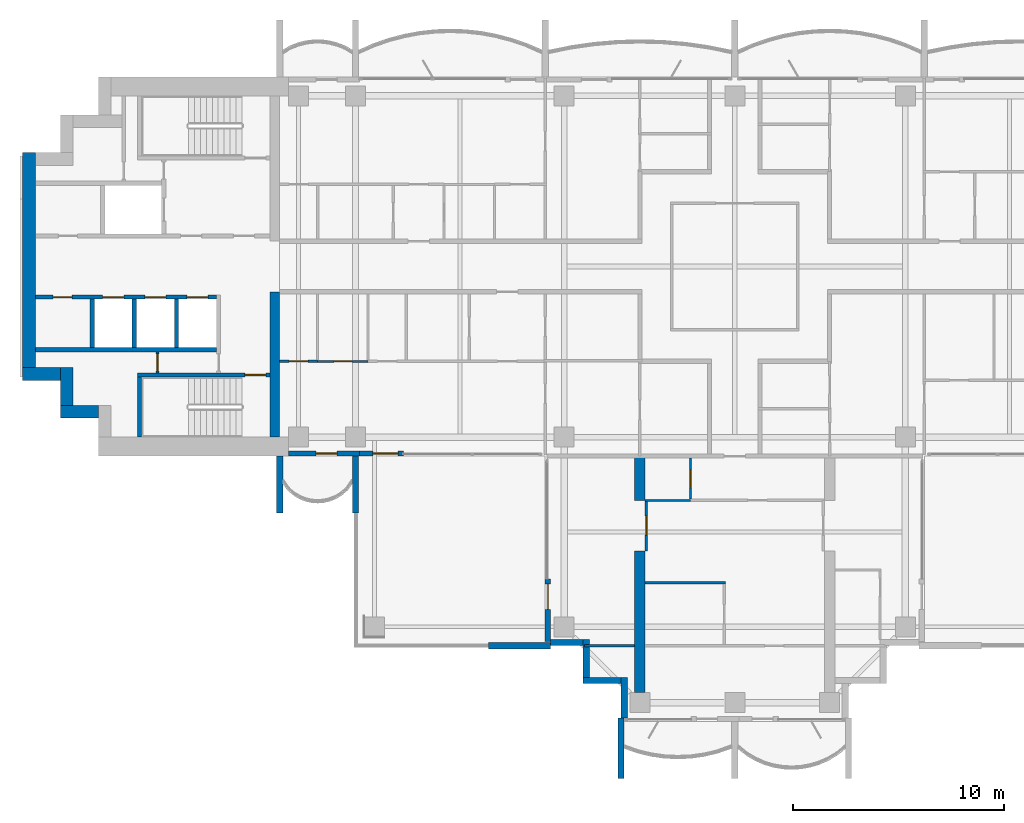
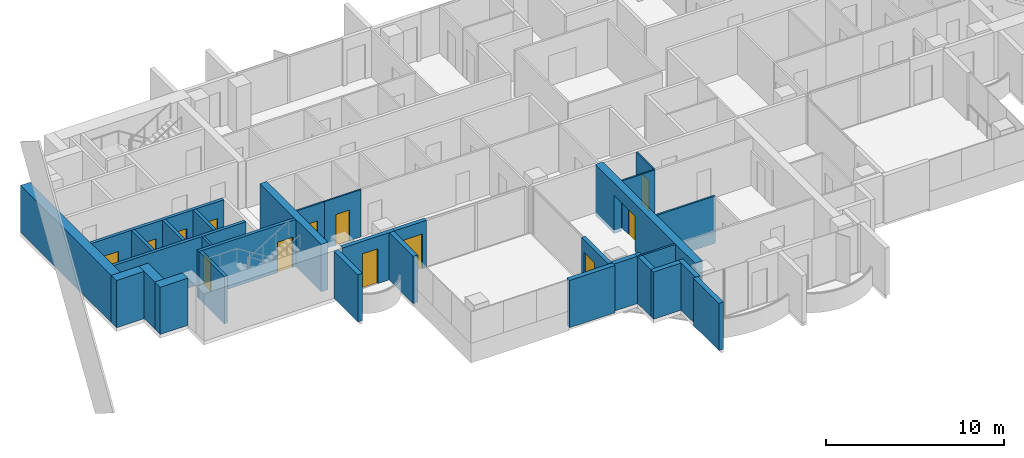
# One storey, part 8 of 18: 32 walls, 13 doors, 13 openings.
"""IFC4 building model written with IfcOpenShell, lengths in metres."""

from ifc_helpers import new_model, si_unit, direction, frame, frame_2d, origin, place, context, subcontext, project, spatial, polyline, rectangle, outline, extrude, material, layer, layer_set, material_profile, profile_set, type_object, element, fill, save


model = new_model("IFC4")

# Units and contexts
model_context = context("Model", 3, precision=1e-05, world=origin(), true_north=direction((0.0, 1.0)))
body_context = subcontext(model_context, "Body", "Model", "MODEL_VIEW")
ifc_project = project(units=[si_unit("LENGTHUNIT", "METRE"), si_unit("AREAUNIT", "SQUARE_METRE"), si_unit("VOLUMEUNIT", "CUBIC_METRE"), si_unit("PLANEANGLEUNIT", "RADIAN"), si_unit("MASSUNIT", "GRAM", prefix="KILO")], contexts=[model_context])

# Site, building, storey
site_placement = place(None, origin())
site = spatial("IfcSite", under=ifc_project, at=site_placement, CompositionType="ELEMENT")
building_placement = place(site_placement, origin())
building = spatial("IfcBuilding", under=site, at=building_placement, Name="Perihelion Cross Residences", CompositionType="ELEMENT")
storey_placement = place(building_placement, frame((0.0, 0.0, 215.60009765625)))
storey = spatial("IfcBuildingStorey", under=building, at=storey_placement, Name="L54", CompositionType="ELEMENT", Elevation=215.60009765625)

# Wall, opening, door
ifc_material_1 = material(Name="Concrete C30/37, bronze-clad", Category="concrete")
ifc_layer_1 = layer(ifc_material_1, 0.25)
ifc_layer_set_1 = layer_set([ifc_layer_1], Name="Bronze-clad pier wall 250")
wall_type_1 = type_object("IfcWallType", Name="Bronze-clad pier wall 250", PredefinedType="SOLIDWALL", material=ifc_layer_set_1)
wall_1_placement = place(storey_placement, frame((-21.175048828125, -8.875, 0.0), z_axis=(0.0, 0.0, 1.0), x_axis=(1.0, 0.0, 0.0)))
wall_1 = element("IfcWall", 1, at=wall_1_placement, inside=storey, type_object=wall_type_1, Name="Wall FW1 L54 west side south bay 1 pier", PredefinedType="SOLIDWALL", context=body_context, shape_type="SweptSolid", body=[
    extrude(rectangle(XDim=3.375, YDim=0.25, at=frame_2d((1.6875, 0.0))), origin(), (0.0, 0.0, 1.0), 3.25),
])
opening_1_placement = place(wall_1_placement, frame((1.300048828125, 0.0, 0.0)))
opening_1 = element("IfcOpeningElement", 2, at=opening_1_placement, cuts=wall_1, Name="Opening L54.E07", PredefinedType="OPENING", context=body_context, shape_type="SweptSolid", body=[
    extrude(rectangle(XDim=1.0, YDim=2.39990234375, at=frame_2d((0.5, 1.199951171875))), frame((0.0, 0.135009765625, 0.0), z_axis=(0.0, -1.0, 0.0), x_axis=(1.0, 0.0, 0.0)), (0.0, 0.0, 1.0), 0.27001953125),
])
ifc_material_2 = material(Name="Bronze anodised aluminium, glazed", Category="aluminium")
door_type_1 = type_object("IfcDoorType", Name="Balcony door 1000 x 2400", OperationType="NOTDEFINED", PredefinedType="DOOR", material=ifc_material_2)
door_1_placement = place(opening_1_placement, origin())
door_1 = element("IfcDoor", 3, at=door_1_placement, inside=storey, type_object=door_type_1, Name="Door L54.E07 west side south bay 1", OperationType="SINGLE_SWING_LEFT", OverallHeight=2.39990234375, OverallWidth=1.0, PredefinedType="DOOR", context=body_context, shape_type="SweptSolid", body=[
    extrude(rectangle(XDim=1.0, YDim=2.39990234375, at=frame_2d((0.5, 1.199951171875))), frame((0.0, 0.02490234375, 0.0), z_axis=(0.0, -1.0, 0.0), x_axis=(1.0, 0.0, 0.0)), (0.0, 0.0, 1.0), 0.050048828125),
])
fill(opening_1, door_1)

wall_2_placement = place(storey_placement, frame((-17.800048828125, -8.875, 0.0), z_axis=(0.0, 0.0, 1.0), x_axis=(1.0, 0.0, 0.0)))
wall_2 = element("IfcWall", 4, at=wall_2_placement, inside=storey, type_object=wall_type_1, Name="Wall FW1 L54 west side south bay 2 pier", PredefinedType="SOLIDWALL", context=body_context, shape_type="SweptSolid", body=[
    extrude(rectangle(XDim=2.074951171875, YDim=0.25, at=frame_2d((1.03759765625, 0.0))), origin(), (0.0, 0.0, 1.0), 3.25),
])
opening_2_placement = place(wall_2_placement, frame((0.625, 0.0, 0.0)))
opening_2 = element("IfcOpeningElement", 5, at=opening_2_placement, cuts=wall_2, Name="Opening L54.E08", PredefinedType="OPENING", context=body_context, shape_type="SweptSolid", body=[
    extrude(rectangle(XDim=1.199951171875, YDim=2.39990234375, at=frame_2d((0.60009765625, 1.199951171875))), frame((0.0, 0.135009765625, 0.0), z_axis=(0.0, -1.0, 0.0), x_axis=(1.0, 0.0, 0.0)), (0.0, 0.0, 1.0), 0.27001953125),
])
ifc_material_3 = material(Name="Bronze anodised aluminium, glazed", Category="aluminium")
door_type_2 = type_object("IfcDoorType", Name="Balcony door 1200 x 2400", OperationType="NOTDEFINED", PredefinedType="DOOR", material=ifc_material_3)
door_2_placement = place(opening_2_placement, origin())
door_2 = element("IfcDoor", 6, at=door_2_placement, inside=storey, type_object=door_type_2, Name="Door L54.E08 west side south bay 2", OperationType="SINGLE_SWING_RIGHT", OverallHeight=2.39990234375, OverallWidth=1.199951171875, PredefinedType="DOOR", context=body_context, shape_type="SweptSolid", body=[
    extrude(rectangle(XDim=1.199951171875, YDim=2.39990234375, at=frame_2d((0.60009765625, 1.199951171875))), frame((0.0, 0.02490234375, 0.0), z_axis=(0.0, -1.0, 0.0), x_axis=(1.0, 0.0, 0.0)), (0.0, 0.0, 1.0), 0.050048828125),
])
fill(opening_2, door_2)

wall_3_placement = place(storey_placement, frame((-8.875, -14.824951171875, 0.0), z_axis=(0.0, 0.0, 1.0), x_axis=(0.0, -1.0, 0.0)))
wall_3 = element("IfcWall", 7, at=wall_3_placement, inside=storey, type_object=wall_type_1, Name="Wall FW1 L54 south side west bay 1 pier", PredefinedType="SOLIDWALL", context=body_context, shape_type="SweptSolid", body=[
    extrude(rectangle(XDim=2.97509765625, YDim=0.25, at=frame_2d((1.487548828125, 0.0))), origin(), (0.0, 0.0, 1.0), 3.25),
])
opening_3_placement = place(wall_3_placement, frame((0.25, 0.0, 0.0)))
opening_3 = element("IfcOpeningElement", 8, at=opening_3_placement, cuts=wall_3, Name="Opening L54.E09", PredefinedType="OPENING", context=body_context, shape_type="SweptSolid", body=[
    extrude(rectangle(XDim=1.199951171875, YDim=2.39990234375, at=frame_2d((0.60009765625, 1.199951171875))), frame((0.0, 0.135009765625, 0.0), z_axis=(0.0, -1.0, 0.0), x_axis=(1.0, 0.0, 0.0)), (0.0, 0.0, 1.0), 0.27001953125),
])
door_3_placement = place(opening_3_placement, origin())
door_3 = element("IfcDoor", 9, at=door_3_placement, inside=storey, type_object=door_type_2, Name="Door L54.E09 south side west bay 1", OperationType="SINGLE_SWING_LEFT", OverallHeight=2.39990234375, OverallWidth=1.199951171875, PredefinedType="DOOR", context=body_context, shape_type="SweptSolid", body=[
    extrude(rectangle(XDim=1.199951171875, YDim=2.39990234375, at=frame_2d((0.60009765625, 1.199951171875))), frame((0.0, 0.02490234375, 0.0), z_axis=(0.0, -1.0, 0.0), x_axis=(1.0, 0.0, 0.0)), (0.0, 0.0, 1.0), 0.050048828125),
])
fill(opening_3, door_3)

# Walls
ifc_material_4 = material(Name="Concrete C30/37, bronze-clad", Category="concrete")
ifc_layer_2 = layer(ifc_material_4, 0.300048828125)
ifc_layer_set_2 = layer_set([ifc_layer_2], Name="Bronze-clad serration wall 300")
wall_type_2 = type_object("IfcWallType", Name="Bronze-clad serration wall 300", PredefinedType="SOLIDWALL", material=ifc_layer_set_2)
wall_4_placement = place(storey_placement, frame((-8.75, -17.85009765625, 0.0), z_axis=(0.0, 0.0, 1.0), x_axis=(1.0, 0.0, 0.0)))
element("IfcWall", 10, at=wall_4_placement, inside=storey, type_object=wall_type_2, Name="Wall SR1 L54 south corner south-west 1", PredefinedType="SOLIDWALL", context=body_context, shape_type="SweptSolid", body=[
    extrude(rectangle(XDim=1.550048828125, YDim=0.300048828125, at=frame_2d((0.77490234375, 0.0))), origin(), (0.0, 0.0, 1.0), 3.25),
])
for number, where, z_axis, x_axis, name in (
    (11, (-7.050048828125, -17.699951171875, 0.0), (0.0, 0.0, 1.0), (0.0, -1.0, 0.0), "Wall SR1 L54 south corner south-west 2"),
    (12, (-7.199951171875, -19.64990234375, 0.0), (0.0, 0.0, 1.0), (1.0, 0.0, 0.0), "Wall SR1 L54 south corner south-west 3"),
):
    element("IfcWall", number, at=place(storey_placement, frame(where, z_axis=z_axis, x_axis=x_axis)), inside=storey, type_object=wall_type_2, Name=name, PredefinedType="SOLIDWALL", context=body_context, shape_type="SweptSolid", body=[
        extrude(rectangle(XDim=1.800048828125, YDim=0.300048828125, at=frame_2d((0.89990234375, 0.0))), origin(), (0.0, 0.0, 1.0), 3.25),
    ])
wall_5_placement = place(storey_placement, frame((-5.25, -19.5, 0.0), z_axis=(0.0, 0.0, 1.0), x_axis=(0.0, -1.0, 0.0)))
element("IfcWall", 13, at=wall_5_placement, inside=storey, type_object=wall_type_2, Name="Wall SR1 L54 south corner south-west 4", PredefinedType="SOLIDWALL", context=body_context, shape_type="SweptSolid", body=[
    extrude(rectangle(XDim=1.919921875, YDim=0.300048828125, at=frame_2d((0.9599609375, 0.0))), origin(), (0.0, 0.0, 1.0), 3.25),
])
ifc_material_5 = material(Name="Concrete C60/75", Category="concrete")
ifc_layer_3 = layer(ifc_material_5, 0.449951171875)
ifc_layer_set_3 = layer_set([ifc_layer_3], Name="Core wall, inner 450")
wall_type_3 = type_object("IfcWallType", Name="Core wall, inner 450", PredefinedType="SHEAR", material=ifc_layer_set_3)
wall_6_placement = place(storey_placement, frame((-21.824951171875, -8.10009765625, 0.0), z_axis=(0.0, 0.0, 1.0), x_axis=(0.0, 1.0, 0.0)))
element("IfcWall", 14, at=wall_6_placement, inside=storey, type_object=wall_type_3, Name="West core core wall, inner", PredefinedType="SHEAR", context=body_context, shape_type="SweptSolid", body=[
    extrude(rectangle(XDim=6.900146484375, YDim=0.449951171875, at=frame_2d((3.4501953125, 0.0))), origin(), (0.0, 0.0, 1.0), 3.25),
])
ifc_material_6 = material(Name="Concrete C60/75", Category="concrete")
ifc_layer_4 = layer(ifc_material_6, 0.60009765625)
ifc_layer_set_4 = layer_set([ifc_layer_4], Name="Core wall, outer 600")
wall_type_4 = type_object("IfcWallType", Name="Core wall, outer 600", PredefinedType="SHEAR", material=ifc_layer_set_4)
for number, where, z_axis, x_axis, name in (
    (15, (-32.0, -6.89990234375, 0.0), (0.0, 0.0, 1.0), (1.0, 0.0, 0.0), "West core core wall, outer"),
    (16, (-31.699951171875, -6.60009765625, 0.0), (0.0, 0.0, 1.0), (0.0, 1.0, 0.0), "West core core wall, outer"),
    (17, (-33.800048828125, -5.10009765625, 0.0), (0.0, 0.0, 1.0), (1.0, 0.0, 0.0), "West core core wall, outer"),
):
    element("IfcWall", number, at=place(storey_placement, frame(where, z_axis=z_axis, x_axis=x_axis)), inside=storey, type_object=wall_type_4, Name=name, PredefinedType="SHEAR", context=body_context, shape_type="SweptSolid", body=[
        extrude(rectangle(XDim=1.800048828125, YDim=0.60009765625, at=frame_2d((0.89990234375, 0.0))), origin(), (0.0, 0.0, 1.0), 3.25),
    ])
wall_7_placement = place(storey_placement, frame((-33.5, -4.800048828125, 0.0), z_axis=(0.0, 0.0, 1.0), x_axis=(0.0, 1.0, 0.0)))
element("IfcWall", 18, at=wall_7_placement, inside=storey, type_object=wall_type_4, Name="West core core wall, outer", PredefinedType="SHEAR", context=body_context, shape_type="SweptSolid", body=[
    extrude(rectangle(XDim=10.199951171875, YDim=0.60009765625, at=frame_2d((5.10009765625, 0.0))), origin(), (0.0, 0.0, 1.0), 3.25),
])

# Wall, opening, door
ifc_material_7 = material(Name="Plasterboard partition")
ifc_layer_5 = layer(ifc_material_7, 0.1201171875)
ifc_layer_set_5 = layer_set([ifc_layer_5], Name="Infill panel 120")
wall_type_5 = type_object("IfcWallType", Name="Infill panel 120", PredefinedType="PARTITIONING", material=ifc_layer_set_5)
wall_8_placement = place(storey_placement, frame((-4.18994140625, -11.10009765625, 0.0), z_axis=(0.0, 0.0, 1.0), x_axis=(0.0, -1.0, 0.0)))
wall_8 = element("IfcWall", 19, at=wall_8_placement, inside=storey, type_object=wall_type_5, Name="Partition L54 WI02", PredefinedType="PARTITIONING", context=body_context, shape_type="SweptSolid", body=[
    extrude(rectangle(XDim=2.39990234375, YDim=0.1201171875, at=frame_2d((1.199951171875, 0.0))), origin(), (0.0, 0.0, 1.0), 2.39990234375),
])
opening_4_placement = place(wall_8_placement, frame((0.75, 0.0, 0.0)))
opening_4 = element("IfcOpeningElement", 20, at=opening_4_placement, cuts=wall_8, Name="Opening L54.A46", PredefinedType="OPENING", context=body_context, shape_type="SweptSolid", body=[
    extrude(rectangle(XDim=0.89990234375, YDim=2.10009765625, at=frame_2d((0.449951171875, 1.050048828125))), frame((0.0, 0.070068359375, 0.0), z_axis=(0.0, -1.0, 0.0), x_axis=(1.0, 0.0, 0.0)), (0.0, 0.0, 1.0), 0.14013671875),
])
ifc_material_8 = material(Name="Timber door leaf", Category="wood")
door_type_3 = type_object("IfcDoorType", Name="Interior room door 900 x 2100", OperationType="SINGLE_SWING_LEFT", PredefinedType="DOOR", material=ifc_material_8)
door_4_placement = place(opening_4_placement, origin())
door_4 = element("IfcDoor", 21, at=door_4_placement, inside=storey, type_object=door_type_3, Name="Door L54.A46", OperationType="SINGLE_SWING_RIGHT", OverallHeight=2.10009765625, OverallWidth=0.89990234375, PredefinedType="DOOR", context=body_context, shape_type="SweptSolid", body=[
    extrude(rectangle(XDim=0.89990234375, YDim=2.10009765625, at=frame_2d((0.449951171875, 1.050048828125))), frame((0.0, 0.02490234375, 0.0), z_axis=(0.0, -1.0, 0.0), x_axis=(1.0, 0.0, 0.0)), (0.0, 0.0, 1.0), 0.050048828125),
])
fill(opening_4, door_4)

ifc_material_9 = material(Name="Plasterboard partition")
ifc_layer_6 = layer(ifc_material_9, 0.1201171875)
ifc_layer_set_6 = layer_set([ifc_layer_6], Name="Partition wall 120")
wall_type_6 = type_object("IfcWallType", Name="Partition wall 120", PredefinedType="PARTITIONING", material=ifc_layer_set_6)
wall_9_placement = place(storey_placement, frame((-19.800048828125, -4.5, 0.0), z_axis=(0.0, 0.0, 1.0), x_axis=(-1.0, 0.0, 0.0)))
wall_9 = element("IfcWall", 22, at=wall_9_placement, inside=storey, type_object=wall_type_6, Name="Partition L54 W065", PredefinedType="PARTITIONING", context=body_context, shape_type="SweptSolid", body=[
    extrude(rectangle(XDim=1.800048828125, YDim=0.1201171875, at=frame_2d((0.89990234375, 0.0))), origin(), (0.0, 0.0, 1.0), 3.25),
])
opening_5_placement = place(wall_9_placement, frame((0.449951171875, 0.0, 0.0)))
opening_5 = element("IfcOpeningElement", 23, at=opening_5_placement, cuts=wall_9, Name="Opening L54.A28", PredefinedType="OPENING", context=body_context, shape_type="SweptSolid", body=[
    extrude(rectangle(XDim=0.89990234375, YDim=2.10009765625, at=frame_2d((0.449951171875, 1.050048828125))), frame((0.0, 0.070068359375, 0.0), z_axis=(0.0, -1.0, 0.0), x_axis=(1.0, 0.0, 0.0)), (0.0, 0.0, 1.0), 0.14013671875),
])
door_5_placement = place(opening_5_placement, origin())
door_5 = element("IfcDoor", 24, at=door_5_placement, inside=storey, type_object=door_type_3, Name="Door L54.A28", OperationType="SINGLE_SWING_RIGHT", OverallHeight=2.10009765625, OverallWidth=0.89990234375, PredefinedType="DOOR", context=body_context, shape_type="SweptSolid", body=[
    extrude(rectangle(XDim=0.89990234375, YDim=2.10009765625, at=frame_2d((0.449951171875, 1.050048828125))), frame((0.0, 0.02490234375, 0.0), z_axis=(0.0, -1.0, 0.0), x_axis=(1.0, 0.0, 0.0)), (0.0, 0.0, 1.0), 0.050048828125),
])
fill(opening_5, door_5)

# Walls
wall_10_placement = place(storey_placement, frame((-0.43994140625, -15.0, 0.0), z_axis=(0.0, 0.0, 1.0), x_axis=(-1.0, 0.0, 0.0)))
element("IfcWall", 25, at=wall_10_placement, inside=storey, type_object=wall_type_6, Name="Partition L54 W073", PredefinedType="PARTITIONING", context=body_context, shape_type="SweptSolid", body=[
    extrude(rectangle(XDim=3.81005859375, YDim=0.1201171875, at=frame_2d((1.905029296875, 0.0))), origin(), (0.0, 0.0, 1.0), 3.25),
])
wall_11_placement = place(storey_placement, frame((-4.75, -18.0, 0.0), z_axis=(0.0, 0.0, 1.0), x_axis=(-1.0, 0.0, 0.0)))
element("IfcWall", 26, at=wall_11_placement, inside=storey, type_object=wall_type_6, Name="Partition L54 W078", PredefinedType="PARTITIONING", context=body_context, shape_type="SweptSolid", body=[
    extrude(rectangle(XDim=2.3701171875, YDim=0.1201171875, at=frame_2d((1.18505859375, 0.0))), origin(), (0.0, 0.0, 1.0), 3.25),
])
ifc_material_10 = material(Name="Precast concrete C50/60", Category="concrete")
ifc_layer_7 = layer(ifc_material_10, 0.300048828125)
ifc_layer_set_7 = layer_set([ifc_layer_7], Name="Precast concrete C50/60 blade wall 300")
wall_type_7 = type_object("IfcWallType", Name="Precast concrete C50/60 blade wall 300", PredefinedType="SOLIDWALL", material=ifc_layer_set_7)
for number, where, z_axis, x_axis, name in (
    (27, (-21.60009765625, -9.0, 0.0), (0.0, 0.0, 1.0), (0.0, -1.0, 0.0), "Wall BL1 L54 no. 3"),
    (28, (-18.0, -9.0, 0.0), (0.0, 0.0, 1.0), (0.0, -1.0, 0.0), "Wall BL1 L54 no. 1"),
):
    element("IfcWall", number, at=place(storey_placement, frame(where, z_axis=z_axis, x_axis=x_axis)), inside=storey, type_object=wall_type_7, Name=name, PredefinedType="SOLIDWALL", context=body_context, shape_type="SweptSolid", body=[
        extrude(rectangle(XDim=2.699951171875, YDim=0.300048828125, at=frame_2d((1.35009765625, 0.0))), origin(), (0.0, 0.0, 1.0), 3.25),
    ])
wall_12_placement = place(storey_placement, frame((-8.75, -18.0, 0.0), z_axis=(0.0, 0.0, 1.0), x_axis=(-1.0, 0.0, 0.0)))
element("IfcWall", 29, at=wall_12_placement, inside=storey, type_object=wall_type_7, Name="Wall BL1 L54 no. 6", PredefinedType="SOLIDWALL", context=body_context, shape_type="SweptSolid", body=[
    extrude(rectangle(XDim=2.949951171875, YDim=0.300048828125, at=frame_2d((1.47509765625, 0.0))), origin(), (0.0, 0.0, 1.0), 3.25),
])
wall_13_placement = place(storey_placement, frame((-5.39990234375, -21.419921875, 0.0), z_axis=(0.0, 0.0, 1.0), x_axis=(0.0, -1.0, 0.0)))
element("IfcWall", 30, at=wall_13_placement, inside=storey, type_object=wall_type_7, Name="Wall BL1 L54 no. 5", PredefinedType="SOLIDWALL", context=body_context, shape_type="SweptSolid", body=[
    extrude(rectangle(XDim=2.880126953125, YDim=0.300048828125, at=frame_2d((1.43994140625, 0.0))), origin(), (0.0, 0.0, 1.0), 3.25),
])

# Wall, opening, door
ifc_material_11 = material(Name="Fire-rated board on steel stud", Category="steel")
ifc_layer_8 = layer(ifc_material_11, 0.14990234375)
ifc_layer_set_8 = layer_set([ifc_layer_8], Name="Riser wall 150")
wall_type_8 = type_object("IfcWallType", Name="Riser wall 150", PredefinedType="PARTITIONING", material=ifc_layer_set_8)
wall_14_placement = place(storey_placement, frame((-27.39990234375, -5.050048828125, 0.0), z_axis=(0.0, 0.0, 1.0), x_axis=(0.0, 1.0, 0.0)))
wall_14 = element("IfcWall", 31, at=wall_14_placement, inside=storey, type_object=wall_type_8, Name="West core riser wall", PredefinedType="PARTITIONING", context=body_context, shape_type="SweptSolid", body=[
    extrude(rectangle(XDim=1.0, YDim=0.14990234375, at=frame_2d((0.5, 0.0))), origin(), (0.0, 0.0, 1.0), 3.25),
])
opening_6_placement = place(wall_14_placement, frame((0.10009765625, 0.0, 0.0)))
opening_6 = element("IfcOpeningElement", 32, at=opening_6_placement, cuts=wall_14, Name="Opening L54.C25", PredefinedType="OPENING", context=body_context, shape_type="SweptSolid", body=[
    extrude(rectangle(XDim=0.800048828125, YDim=2.10009765625, at=frame_2d((0.39990234375, 1.050048828125))), frame((0.0, 0.0849609375, 0.0), z_axis=(0.0, -1.0, 0.0), x_axis=(1.0, 0.0, 0.0)), (0.0, 0.0, 1.0), 0.169921875),
])
ifc_material_12 = material(Name="Steel, powder coated", Category="steel")
door_type_4 = type_object("IfcDoorType", Name="Riser door 800", OperationType="SINGLE_SWING_LEFT", PredefinedType="DOOR", material=ifc_material_12)
door_6_placement = place(opening_6_placement, origin())
door_6 = element("IfcDoor", 33, at=door_6_placement, inside=storey, type_object=door_type_4, Name="West core riser door", OperationType="SINGLE_SWING_LEFT", OverallHeight=2.10009765625, OverallWidth=0.800048828125, PredefinedType="DOOR", context=body_context, shape_type="SweptSolid", body=[
    extrude(rectangle(XDim=0.800048828125, YDim=2.10009765625, at=frame_2d((0.39990234375, 1.050048828125))), frame((0.0, 0.02490234375, 0.0), z_axis=(0.0, -1.0, 0.0), x_axis=(1.0, 0.0, 0.0)), (0.0, 0.0, 1.0), 0.050048828125),
])
fill(opening_6, door_6)

# Wall, openings, doors
ifc_material_13 = material(Name="Concrete C50/60", Category="concrete")
ifc_layer_9 = layer(ifc_material_13, 0.199951171875)
ifc_layer_set_9 = layer_set([ifc_layer_9], Name="Shaft wall 200")
wall_type_9 = type_object("IfcWallType", Name="Shaft wall 200", PredefinedType="SOLIDWALL", material=ifc_layer_set_9)
wall_15_placement = place(storey_placement, frame((-33.199951171875, -1.449951171875, 0.0), z_axis=(0.0, 0.0, 1.0), x_axis=(1.0, 0.0, 0.0)))
wall_15 = element("IfcWall", 34, at=wall_15_placement, inside=storey, type_object=wall_type_9, Name="West core shaft wall", PredefinedType="SOLIDWALL", context=body_context, shape_type="SweptSolid", body=[
    extrude(rectangle(XDim=8.599853515625, YDim=0.199951171875, at=frame_2d((4.2998046875, 0.0))), origin(), (0.0, 0.0, 1.0), 3.25),
])
opening_7_placement = place(wall_15_placement, frame((7.199951171875, 0.0, 0.0)))
opening_7 = element("IfcOpeningElement", 35, at=opening_7_placement, cuts=wall_15, Name="Opening L54.C15", PredefinedType="OPENING", context=body_context, shape_type="SweptSolid", body=[
    extrude(rectangle(XDim=1.0, YDim=2.10009765625, at=frame_2d((0.5, 1.050048828125))), frame((0.0, 0.10986328125, 0.0), z_axis=(0.0, -1.0, 0.0), x_axis=(1.0, 0.0, 0.0)), (0.0, 0.0, 1.0), 0.219970703125),
])
opening_8_placement = place(wall_15_placement, frame((5.199951171875, 0.0, 0.0)))
opening_8 = element("IfcOpeningElement", 36, at=opening_8_placement, cuts=wall_15, Name="Opening L54.C17", PredefinedType="OPENING", context=body_context, shape_type="SweptSolid", body=[
    extrude(rectangle(XDim=1.0, YDim=2.10009765625, at=frame_2d((0.5, 1.050048828125))), frame((0.0, 0.10986328125, 0.0), z_axis=(0.0, -1.0, 0.0), x_axis=(1.0, 0.0, 0.0)), (0.0, 0.0, 1.0), 0.219970703125),
])
opening_9_placement = place(wall_15_placement, frame((3.199951171875, 0.0, 0.0)))
opening_9 = element("IfcOpeningElement", 37, at=opening_9_placement, cuts=wall_15, Name="Opening L54.C18", PredefinedType="OPENING", context=body_context, shape_type="SweptSolid", body=[
    extrude(rectangle(XDim=1.0, YDim=2.10009765625, at=frame_2d((0.5, 1.050048828125))), frame((0.0, 0.10986328125, 0.0), z_axis=(0.0, -1.0, 0.0), x_axis=(1.0, 0.0, 0.0)), (0.0, 0.0, 1.0), 0.219970703125),
])
opening_10_placement = place(wall_15_placement, frame((0.85009765625, 0.0, 0.0)))
opening_10 = element("IfcOpeningElement", 38, at=opening_10_placement, cuts=wall_15, Name="Opening L54.C28", PredefinedType="OPENING", context=body_context, shape_type="SweptSolid", body=[
    extrude(rectangle(XDim=0.89990234375, YDim=2.10009765625, at=frame_2d((0.449951171875, 1.050048828125))), frame((0.0, 0.10986328125, 0.0), z_axis=(0.0, -1.0, 0.0), x_axis=(1.0, 0.0, 0.0)), (0.0, 0.0, 1.0), 0.219970703125),
])
ifc_material_14 = material(Name="Stainless steel", Category="steel")
door_type_5 = type_object("IfcDoorType", Name="Landing door 1000", OperationType="DOUBLE_DOOR_SLIDING", PredefinedType="DOOR", material=ifc_material_14)
door_7_placement = place(opening_7_placement, origin())
door_7 = element("IfcDoor", 39, at=door_7_placement, inside=storey, type_object=door_type_5, Name="Landing door, West core high-rise lift 1", OperationType="DOUBLE_DOOR_SLIDING", OverallHeight=2.10009765625, OverallWidth=1.0, PredefinedType="DOOR", context=body_context, shape_type="SweptSolid", body=[
    extrude(rectangle(XDim=1.0, YDim=2.10009765625, at=frame_2d((0.5, 1.050048828125))), frame((0.0, 0.02490234375, 0.0), z_axis=(0.0, -1.0, 0.0), x_axis=(1.0, 0.0, 0.0)), (0.0, 0.0, 1.0), 0.050048828125),
])
fill(opening_7, door_7)
door_8_placement = place(opening_8_placement, origin())
door_8 = element("IfcDoor", 40, at=door_8_placement, inside=storey, type_object=door_type_5, Name="Landing door, West core high-rise lift 2", OperationType="DOUBLE_DOOR_SLIDING", OverallHeight=2.10009765625, OverallWidth=1.0, PredefinedType="DOOR", context=body_context, shape_type="SweptSolid", body=[
    extrude(rectangle(XDim=1.0, YDim=2.10009765625, at=frame_2d((0.5, 1.050048828125))), frame((0.0, 0.02490234375, 0.0), z_axis=(0.0, -1.0, 0.0), x_axis=(1.0, 0.0, 0.0)), (0.0, 0.0, 1.0), 0.050048828125),
])
fill(opening_8, door_8)
door_9_placement = place(opening_9_placement, origin())
door_9 = element("IfcDoor", 41, at=door_9_placement, inside=storey, type_object=door_type_5, Name="Landing door, West core high-rise lift 3", OperationType="DOUBLE_DOOR_SLIDING", OverallHeight=2.10009765625, OverallWidth=1.0, PredefinedType="DOOR", context=body_context, shape_type="SweptSolid", body=[
    extrude(rectangle(XDim=1.0, YDim=2.10009765625, at=frame_2d((0.5, 1.050048828125))), frame((0.0, 0.02490234375, 0.0), z_axis=(0.0, -1.0, 0.0), x_axis=(1.0, 0.0, 0.0)), (0.0, 0.0, 1.0), 0.050048828125),
])
fill(opening_9, door_9)
ifc_material_15 = material(Name="Steel, powder coated", Category="steel")
door_type_6 = type_object("IfcDoorType", Name="Service room door 900", OperationType="SINGLE_SWING_LEFT", PredefinedType="DOOR", material=ifc_material_15)
door_10_placement = place(opening_10_placement, origin())
door_10 = element("IfcDoor", 42, at=door_10_placement, inside=storey, type_object=door_type_6, Name="West core service room door", OperationType="SINGLE_SWING_LEFT", OverallHeight=2.10009765625, OverallWidth=0.89990234375, PredefinedType="DOOR", context=body_context, shape_type="SweptSolid", body=[
    extrude(rectangle(XDim=0.89990234375, YDim=2.10009765625, at=frame_2d((0.449951171875, 1.050048828125))), frame((0.0, 0.02490234375, 0.0), z_axis=(0.0, -1.0, 0.0), x_axis=(1.0, 0.0, 0.0)), (0.0, 0.0, 1.0), 0.050048828125),
])
fill(opening_10, door_10)

# Walls
wall_16_placement = place(storey_placement, frame((-33.199951171875, -3.949951171875, 0.0), z_axis=(0.0, 0.0, 1.0), x_axis=(1.0, 0.0, 0.0)))
element("IfcWall", 43, at=wall_16_placement, inside=storey, type_object=wall_type_9, Name="West core shaft wall", PredefinedType="SOLIDWALL", context=body_context, shape_type="SweptSolid", body=[
    extrude(rectangle(XDim=8.599853515625, YDim=0.199951171875, at=frame_2d((4.2998046875, 0.0))), origin(), (0.0, 0.0, 1.0), 3.25),
])
for number, where, z_axis, x_axis, name in (
    (44, (-26.5, -3.85009765625, 0.0), (0.0, 0.0, 1.0), (0.0, 1.0, 0.0), "West core shaft wall"),
    (45, (-28.5, -3.85009765625, 0.0), (0.0, 0.0, 1.0), (0.0, 1.0, 0.0), "West core shaft wall"),
    (46, (-30.5, -3.85009765625, 0.0), (0.0, 0.0, 1.0), (0.0, 1.0, 0.0), "West core shaft wall"),
):
    element("IfcWall", number, at=place(storey_placement, frame(where, z_axis=z_axis, x_axis=x_axis)), inside=storey, type_object=wall_type_9, Name=name, PredefinedType="SOLIDWALL", context=body_context, shape_type="SweptSolid", body=[
        extrude(rectangle(XDim=2.300048828125, YDim=0.199951171875, at=frame_2d((1.14990234375, 0.0))), origin(), (0.0, 0.0, 1.0), 3.25),
    ])

# Wall, opening, door
ifc_material_16 = material(Name="Concrete C50/60", Category="concrete")
ifc_layer_10 = layer(ifc_material_16, 0.199951171875)
ifc_layer_set_10 = layer_set([ifc_layer_10], Name="Stair wall 200")
wall_type_10 = type_object("IfcWallType", Name="Stair wall 200", PredefinedType="SOLIDWALL", material=ifc_layer_set_10)
wall_17_placement = place(storey_placement, frame((-28.35009765625, -5.14990234375, 0.0), z_axis=(0.0, 0.0, 1.0), x_axis=(1.0, 0.0, 0.0)))
wall_17 = element("IfcWall", 47, at=wall_17_placement, inside=storey, type_object=wall_type_10, Name="West core stair wall", PredefinedType="SOLIDWALL", context=body_context, shape_type="SweptSolid", body=[
    extrude(rectangle(XDim=6.300048828125, YDim=0.199951171875, at=frame_2d((3.14990234375, 0.0))), origin(), (0.0, 0.0, 1.0), 3.25),
])
opening_11_placement = place(wall_17_placement, frame((5.10009765625, 0.0, 0.0)))
opening_11 = element("IfcOpeningElement", 48, at=opening_11_placement, cuts=wall_17, Name="Opening L54.C19", PredefinedType="OPENING", context=body_context, shape_type="SweptSolid", body=[
    extrude(rectangle(XDim=1.0, YDim=2.10009765625, at=frame_2d((0.5, 1.050048828125))), frame((0.0, 0.10986328125, 0.0), z_axis=(0.0, -1.0, 0.0), x_axis=(1.0, 0.0, 0.0)), (0.0, 0.0, 1.0), 0.219970703125),
])
ifc_material_17 = material(Name="Steel, powder coated", Category="steel")
door_type_7 = type_object("IfcDoorType", Name="Stair door 1000", OperationType="SINGLE_SWING_LEFT", PredefinedType="DOOR", material=ifc_material_17)
door_11_placement = place(opening_11_placement, origin())
door_11 = element("IfcDoor", 49, at=door_11_placement, inside=storey, type_object=door_type_7, Name="West core stair door", OperationType="SINGLE_SWING_LEFT", OverallHeight=2.10009765625, OverallWidth=1.0, PredefinedType="DOOR", context=body_context, shape_type="SweptSolid", body=[
    extrude(rectangle(XDim=1.0, YDim=2.10009765625, at=frame_2d((0.5, 1.050048828125))), frame((0.0, 0.02490234375, 0.0), z_axis=(0.0, -1.0, 0.0), x_axis=(1.0, 0.0, 0.0)), (0.0, 0.0, 1.0), 0.050048828125),
])
fill(opening_11, door_11)

# Walls
wall_18_placement = place(storey_placement, frame((-28.25, -8.10009765625, 0.0), z_axis=(0.0, 0.0, 1.0), x_axis=(0.0, 1.0, 0.0)))
element("IfcWall", 50, at=wall_18_placement, inside=storey, type_object=wall_type_10, Name="West core stair wall", PredefinedType="SOLIDWALL", context=body_context, shape_type="SweptSolid", body=[
    extrude(rectangle(XDim=2.85009765625, YDim=0.199951171875, at=frame_2d((1.425048828125, 0.0))), origin(), (0.0, 0.0, 1.0), 3.25),
])
ifc_material_18 = material(Name="Concrete C60/75", Category="concrete")
ifc_material_profile = material_profile(ifc_material_18, outline(polyline([(0.0, 0.0), (6.72509765625, 0.0), (6.72509765625, 2.64990234375), (9.125, 2.64990234375), (9.125, 0.0), (11.22509765625, 0.0), (11.22509765625, 3.5), (0.0, 3.5), (0.0, 0.0)])), Name="Tip spine wall")
ifc_profile_set = profile_set([ifc_material_profile], Name="Concrete C60/75")
wall_type_11 = type_object("IfcWallType", Name="Tip spine wall 500 with 1 door openings 11225 long 3500 high concrete C60/75", PredefinedType="SHEAR", material=ifc_profile_set)
wall_19_placement = place(storey_placement, frame((-4.75, -20.22509765625, -0.25), z_axis=(1.0, 0.0, 0.0), x_axis=(0.0, 1.0, 0.0)))
element("IfcWall", 51, at=wall_19_placement, inside=storey, type_object=wall_type_11, Name="Shear wall SW41 L54 south west", PredefinedType="SHEAR", context=body_context, shape_type="SweptSolid", body=[
    extrude(outline(polyline([(0.0, 0.0), (6.72509765625, 0.0), (6.72509765625, 2.64990234375), (9.125, 2.64990234375), (9.125, 0.0), (11.22509765625, 0.0), (11.22509765625, 3.5), (0.0, 3.5), (0.0, 0.0)])), origin(), (0.0, 0.0, 1.0), 0.5),
])

# Wall, opening, door
ifc_material_19 = material(Name="Plasterboard partition")
ifc_layer_11 = layer(ifc_material_19, 0.10009765625)
ifc_layer_set_11 = layer_set([ifc_layer_11], Name="Wet room wall 100")
wall_type_12 = type_object("IfcWallType", Name="Wet room wall 100", PredefinedType="PARTITIONING", material=ifc_layer_set_11)
wall_20_placement = place(storey_placement, frame((-17.39990234375, -4.5, 0.0), z_axis=(0.0, 0.0, 1.0), x_axis=(-1.0, 0.0, 0.0)))
wall_20 = element("IfcWall", 52, at=wall_20_placement, inside=storey, type_object=wall_type_12, Name="Partition L54 W064", PredefinedType="PARTITIONING", context=body_context, shape_type="SweptSolid", body=[
    extrude(rectangle(XDim=2.400146484375, YDim=0.10009765625, at=frame_2d((1.2001953125, 0.0))), origin(), (0.0, 0.0, 1.0), 3.25),
])
opening_12_placement = place(wall_20_placement, frame((0.77490234375, 0.0, 0.0)))
opening_12 = element("IfcOpeningElement", 53, at=opening_12_placement, cuts=wall_20, Name="Opening L54.A27", PredefinedType="OPENING", context=body_context, shape_type="SweptSolid", body=[
    extrude(rectangle(XDim=0.85009765625, YDim=2.10009765625, at=frame_2d((0.425048828125, 1.050048828125))), frame((0.0, 0.06005859375, 0.0), z_axis=(0.0, -1.0, 0.0), x_axis=(1.0, 0.0, 0.0)), (0.0, 0.0, 1.0), 0.1201171875),
])
ifc_material_20 = material(Name="Timber door leaf", Category="wood")
door_type_8 = type_object("IfcDoorType", Name="Interior bathroom door 850 x 2100", OperationType="SINGLE_SWING_LEFT", PredefinedType="DOOR", material=ifc_material_20)
door_12_placement = place(opening_12_placement, origin())
door_12 = element("IfcDoor", 54, at=door_12_placement, inside=storey, type_object=door_type_8, Name="Door L54.A27", OperationType="SINGLE_SWING_RIGHT", OverallHeight=2.10009765625, OverallWidth=0.85009765625, PredefinedType="DOOR", context=body_context, shape_type="SweptSolid", body=[
    extrude(rectangle(XDim=0.85009765625, YDim=2.10009765625, at=frame_2d((0.425048828125, 1.050048828125))), frame((0.0, 0.02490234375, 0.0), z_axis=(0.0, -1.0, 0.0), x_axis=(1.0, 0.0, 0.0)), (0.0, 0.0, 1.0), 0.050048828125),
])
fill(opening_12, door_12)

wall_21_placement = place(storey_placement, frame((-2.10009765625, -11.0400390625, 0.0), z_axis=(0.0, 0.0, 1.0), x_axis=(0.0, 1.0, 0.0)))
wall_21 = element("IfcWall", 55, at=wall_21_placement, inside=storey, type_object=wall_type_12, Name="Partition L54 W069", PredefinedType="PARTITIONING", context=body_context, shape_type="SweptSolid", body=[
    extrude(rectangle(XDim=1.93994140625, YDim=0.10009765625, at=frame_2d((0.969970703125, 0.0))), origin(), (0.0, 0.0, 1.0), 3.25),
])
opening_13_placement = place(wall_21_placement, frame((0.544921875, 0.0, 0.0)))
opening_13 = element("IfcOpeningElement", 56, at=opening_13_placement, cuts=wall_21, Name="Opening L54.A36", PredefinedType="OPENING", context=body_context, shape_type="SweptSolid", body=[
    extrude(rectangle(XDim=0.85009765625, YDim=2.10009765625, at=frame_2d((0.425048828125, 1.050048828125))), frame((0.0, 0.06005859375, 0.0), z_axis=(0.0, -1.0, 0.0), x_axis=(1.0, 0.0, 0.0)), (0.0, 0.0, 1.0), 0.1201171875),
])
door_13_placement = place(opening_13_placement, origin())
door_13 = element("IfcDoor", 57, at=door_13_placement, inside=storey, type_object=door_type_8, Name="Door L54.A36", OperationType="SINGLE_SWING_RIGHT", OverallHeight=2.10009765625, OverallWidth=0.85009765625, PredefinedType="DOOR", context=body_context, shape_type="SweptSolid", body=[
    extrude(rectangle(XDim=0.85009765625, YDim=2.10009765625, at=frame_2d((0.425048828125, 1.050048828125))), frame((0.0, 0.02490234375, 0.0), z_axis=(0.0, -1.0, 0.0), x_axis=(1.0, 0.0, 0.0)), (0.0, 0.0, 1.0), 0.050048828125),
])
fill(opening_13, door_13)

# Wall
wall_22_placement = place(storey_placement, frame((-2.10009765625, -11.10009765625, 0.0), z_axis=(0.0, 0.0, 1.0), x_axis=(-1.0, 0.0, 0.0)))
element("IfcWall", 58, at=wall_22_placement, inside=storey, type_object=wall_type_12, Name="Partition L54 W071", PredefinedType="PARTITIONING", context=body_context, shape_type="SweptSolid", body=[
    extrude(rectangle(XDim=2.14990234375, YDim=0.10009765625, at=frame_2d((1.074951171875, 0.0))), origin(), (0.0, 0.0, 1.0), 3.25),
])

save(model, "model.ifc")
